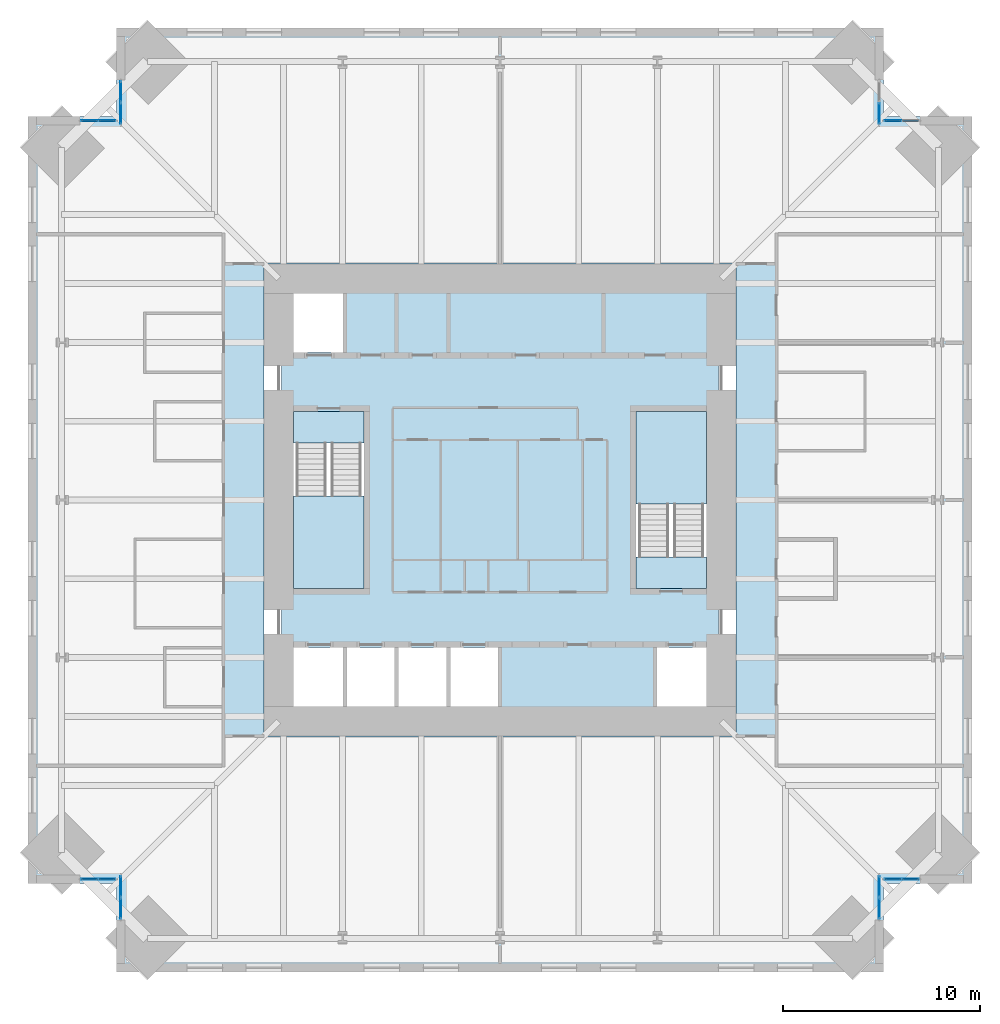
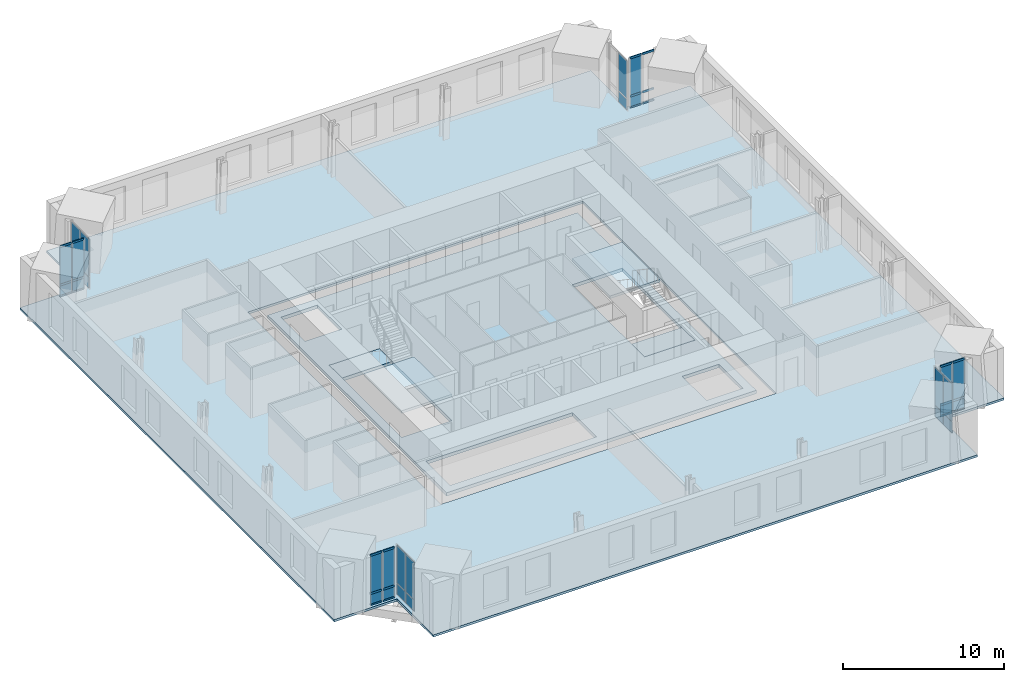
# One storey, part 9 of 15: 28 plates, 24 members, 6 slabs, 10 elements without a shape of their own.
"""IFC4 building model written with IfcOpenShell, lengths in metres."""

from ifc_helpers import new_model, si_unit, direction, frame, origin, origin_2d, place, context, subcontext, project, spatial, polyline, rectangle, hollow_rectangle, outline, extrude, material, layer, layer_set, material_profile, profile_set, type_object, element, aggregate, save


model = new_model("IFC4")

# Units and contexts
model_context = context("Model", 3, precision=1e-05, world=origin(), true_north=direction((0.0, 1.0)))
body_context = subcontext(model_context, "Body", "Model", "MODEL_VIEW")
ifc_project = project(units=[si_unit("LENGTHUNIT", "METRE"), si_unit("AREAUNIT", "SQUARE_METRE"), si_unit("VOLUMEUNIT", "CUBIC_METRE"), si_unit("PLANEANGLEUNIT", "RADIAN"), si_unit("MASSUNIT", "GRAM", prefix="KILO")], contexts=[model_context])

# Site, building, storey
site_placement = place(None, origin())
site = spatial("IfcSite", under=ifc_project, at=site_placement, CompositionType="ELEMENT")
building_placement = place(site_placement, origin())
building = spatial("IfcBuilding", under=site, at=building_placement, Name="Peilmerk Tower", CompositionType="ELEMENT")
storey_placement = place(building_placement, frame((0.0, 0.0, 213.800048828125)))
storey = spatial("IfcBuildingStorey", under=building, at=storey_placement, Name="L46", CompositionType="ELEMENT", Elevation=213.800048828125)

# Curtain wall, members
ifc_material_1 = material(Name="Aluminium stick curtain wall", Category="aluminium")
curtain_wall_type = type_object("IfcCurtainWallType", Name="CW4 stick curtain wall, 2250 module", PredefinedType="NOTDEFINED", material=ifc_material_1)
curtain_wall_1_placement = place(storey_placement, origin())
curtain_wall_1 = element("IfcCurtainWall", 1, at=curtain_wall_1_placement, inside=storey, type_object=curtain_wall_type, Name="Curtain wall CW4 NEB L46", PredefinedType="NOTDEFINED")
ifc_material_2 = material(Name="Aluminium EN AW-6063 T6", Category="aluminium")
ifc_material_profile = material_profile(ifc_material_2, hollow_rectangle(XDim=0.06494140625, YDim=0.14990234375, WallThickness=0.0029296875, at=origin_2d()), Name="AL 150x65x3")
ifc_profile_set = profile_set([ifc_material_profile], Name="Aluminium EN AW-6063 T6")
member_type = type_object("IfcMemberType", Name="CW4-T AL 150x65x3 transom", PredefinedType="USERDEFINED", material=ifc_profile_set)
member_1_placement = place(storey_placement, frame((19.56494140625, 19.27490234375, 0.032470703125), z_axis=(1.0, 0.0, 0.0), x_axis=(0.0, 1.0, 0.0)))
member_1 = element("IfcMember", 2, at=member_1_placement, type_object=member_type, Name="CW4 transom 1.1", ObjectType="TRANSOM", PredefinedType="USERDEFINED", context=body_context, shape_type="SweptSolid", body=[
    extrude(hollow_rectangle(XDim=0.06494140625, YDim=0.14990234375, WallThickness=0.0029296875, at=origin_2d()), origin(), (0.0, 0.0, 1.0), 0.82177734375),
])
member_2_placement = place(storey_placement, frame((19.56494140625, 19.27490234375, 0.89990234375), z_axis=(1.0, 0.0, 0.0), x_axis=(0.0, 1.0, 0.0)))
member_2 = element("IfcMember", 3, at=member_2_placement, type_object=member_type, Name="CW4 transom 1.2", ObjectType="TRANSOM", PredefinedType="USERDEFINED", context=body_context, shape_type="SweptSolid", body=[
    extrude(hollow_rectangle(XDim=0.06494140625, YDim=0.14990234375, WallThickness=0.0029296875, at=origin_2d()), origin(), (0.0, 0.0, 1.0), 0.82177734375),
])
member_3_placement = place(storey_placement, frame((19.56494140625, 19.27490234375, 3.79736328125), z_axis=(1.0, 0.0, 0.0), x_axis=(0.0, 1.0, 0.0)))
member_3 = element("IfcMember", 4, at=member_3_placement, type_object=member_type, Name="CW4 transom 1.3", ObjectType="TRANSOM", PredefinedType="USERDEFINED", context=body_context, shape_type="SweptSolid", body=[
    extrude(hollow_rectangle(XDim=0.06494140625, YDim=0.14990234375, WallThickness=0.0029296875, at=origin_2d()), origin(), (0.0, 0.0, 1.0), 0.82177734375),
])
member_4_placement = place(storey_placement, frame((20.451904296875, 19.27490234375, 0.032470703125), z_axis=(1.0, 0.0, 0.0), x_axis=(0.0, 1.0, 0.0)))
member_4 = element("IfcMember", 5, at=member_4_placement, type_object=member_type, Name="CW4 transom 2.1", ObjectType="TRANSOM", PredefinedType="USERDEFINED", context=body_context, shape_type="SweptSolid", body=[
    extrude(hollow_rectangle(XDim=0.06494140625, YDim=0.14990234375, WallThickness=0.0029296875, at=origin_2d()), origin(), (0.0, 0.0, 1.0), 0.82177734375),
])
member_5_placement = place(storey_placement, frame((20.451904296875, 19.27490234375, 0.89990234375), z_axis=(1.0, 0.0, 0.0), x_axis=(0.0, 1.0, 0.0)))
member_5 = element("IfcMember", 6, at=member_5_placement, type_object=member_type, Name="CW4 transom 2.2", ObjectType="TRANSOM", PredefinedType="USERDEFINED", context=body_context, shape_type="SweptSolid", body=[
    extrude(hollow_rectangle(XDim=0.06494140625, YDim=0.14990234375, WallThickness=0.0029296875, at=origin_2d()), origin(), (0.0, 0.0, 1.0), 0.82177734375),
])
member_6_placement = place(storey_placement, frame((20.451904296875, 19.27490234375, 3.79736328125), z_axis=(1.0, 0.0, 0.0), x_axis=(0.0, 1.0, 0.0)))
member_6 = element("IfcMember", 7, at=member_6_placement, type_object=member_type, Name="CW4 transom 2.3", ObjectType="TRANSOM", PredefinedType="USERDEFINED", context=body_context, shape_type="SweptSolid", body=[
    extrude(hollow_rectangle(XDim=0.06494140625, YDim=0.14990234375, WallThickness=0.0029296875, at=origin_2d()), origin(), (0.0, 0.0, 1.0), 0.82177734375),
])

curtain_wall_2_placement = place(storey_placement, origin())
curtain_wall_2 = element("IfcCurtainWall", 8, at=curtain_wall_2_placement, inside=storey, type_object=curtain_wall_type, Name="Curtain wall CW4 SEB L46", PredefinedType="NOTDEFINED")
member_7_placement = place(storey_placement, frame((19.56494140625, -19.27490234375, 0.032470703125), z_axis=(1.0, 0.0, 0.0), x_axis=(0.0, 1.0, 0.0)))
member_7 = element("IfcMember", 9, at=member_7_placement, type_object=member_type, Name="CW4 transom 1.1", ObjectType="TRANSOM", PredefinedType="USERDEFINED", context=body_context, shape_type="SweptSolid", body=[
    extrude(hollow_rectangle(XDim=0.06494140625, YDim=0.14990234375, WallThickness=0.0029296875, at=origin_2d()), origin(), (0.0, 0.0, 1.0), 0.82177734375),
])
member_8_placement = place(storey_placement, frame((19.56494140625, -19.27490234375, 0.89990234375), z_axis=(1.0, 0.0, 0.0), x_axis=(0.0, 1.0, 0.0)))
member_8 = element("IfcMember", 10, at=member_8_placement, type_object=member_type, Name="CW4 transom 1.2", ObjectType="TRANSOM", PredefinedType="USERDEFINED", context=body_context, shape_type="SweptSolid", body=[
    extrude(hollow_rectangle(XDim=0.06494140625, YDim=0.14990234375, WallThickness=0.0029296875, at=origin_2d()), origin(), (0.0, 0.0, 1.0), 0.82177734375),
])
member_9_placement = place(storey_placement, frame((19.56494140625, -19.27490234375, 3.79736328125), z_axis=(1.0, 0.0, 0.0), x_axis=(0.0, 1.0, 0.0)))
member_9 = element("IfcMember", 11, at=member_9_placement, type_object=member_type, Name="CW4 transom 1.3", ObjectType="TRANSOM", PredefinedType="USERDEFINED", context=body_context, shape_type="SweptSolid", body=[
    extrude(hollow_rectangle(XDim=0.06494140625, YDim=0.14990234375, WallThickness=0.0029296875, at=origin_2d()), origin(), (0.0, 0.0, 1.0), 0.82177734375),
])
member_10_placement = place(storey_placement, frame((20.451904296875, -19.27490234375, 0.032470703125), z_axis=(1.0, 0.0, 0.0), x_axis=(0.0, 1.0, 0.0)))
member_10 = element("IfcMember", 12, at=member_10_placement, type_object=member_type, Name="CW4 transom 2.1", ObjectType="TRANSOM", PredefinedType="USERDEFINED", context=body_context, shape_type="SweptSolid", body=[
    extrude(hollow_rectangle(XDim=0.06494140625, YDim=0.14990234375, WallThickness=0.0029296875, at=origin_2d()), origin(), (0.0, 0.0, 1.0), 0.82177734375),
])
member_11_placement = place(storey_placement, frame((20.451904296875, -19.27490234375, 0.89990234375), z_axis=(1.0, 0.0, 0.0), x_axis=(0.0, 1.0, 0.0)))
member_11 = element("IfcMember", 13, at=member_11_placement, type_object=member_type, Name="CW4 transom 2.2", ObjectType="TRANSOM", PredefinedType="USERDEFINED", context=body_context, shape_type="SweptSolid", body=[
    extrude(hollow_rectangle(XDim=0.06494140625, YDim=0.14990234375, WallThickness=0.0029296875, at=origin_2d()), origin(), (0.0, 0.0, 1.0), 0.82177734375),
])
member_12_placement = place(storey_placement, frame((20.451904296875, -19.27490234375, 3.79736328125), z_axis=(1.0, 0.0, 0.0), x_axis=(0.0, 1.0, 0.0)))
member_12 = element("IfcMember", 14, at=member_12_placement, type_object=member_type, Name="CW4 transom 2.3", ObjectType="TRANSOM", PredefinedType="USERDEFINED", context=body_context, shape_type="SweptSolid", body=[
    extrude(hollow_rectangle(XDim=0.06494140625, YDim=0.14990234375, WallThickness=0.0029296875, at=origin_2d()), origin(), (0.0, 0.0, 1.0), 0.82177734375),
])

curtain_wall_3_placement = place(storey_placement, origin())
curtain_wall_3 = element("IfcCurtainWall", 15, at=curtain_wall_3_placement, inside=storey, type_object=curtain_wall_type, Name="Curtain wall CW4 SWB L46", PredefinedType="NOTDEFINED")
member_13_placement = place(storey_placement, frame((-19.56494140625, -19.27490234375, 0.032470703125), z_axis=(-1.0, 0.0, 0.0), x_axis=(0.0, -1.0, 0.0)))
member_13 = element("IfcMember", 16, at=member_13_placement, type_object=member_type, Name="CW4 transom 1.1", ObjectType="TRANSOM", PredefinedType="USERDEFINED", context=body_context, shape_type="SweptSolid", body=[
    extrude(hollow_rectangle(XDim=0.06494140625, YDim=0.14990234375, WallThickness=0.0029296875, at=origin_2d()), origin(), (0.0, 0.0, 1.0), 0.82177734375),
])
member_14_placement = place(storey_placement, frame((-19.56494140625, -19.27490234375, 0.89990234375), z_axis=(-1.0, 0.0, 0.0), x_axis=(0.0, -1.0, 0.0)))
member_14 = element("IfcMember", 17, at=member_14_placement, type_object=member_type, Name="CW4 transom 1.2", ObjectType="TRANSOM", PredefinedType="USERDEFINED", context=body_context, shape_type="SweptSolid", body=[
    extrude(hollow_rectangle(XDim=0.06494140625, YDim=0.14990234375, WallThickness=0.0029296875, at=origin_2d()), origin(), (0.0, 0.0, 1.0), 0.82177734375),
])
member_15_placement = place(storey_placement, frame((-19.56494140625, -19.27490234375, 3.79736328125), z_axis=(-1.0, 0.0, 0.0), x_axis=(0.0, -1.0, 0.0)))
member_15 = element("IfcMember", 18, at=member_15_placement, type_object=member_type, Name="CW4 transom 1.3", ObjectType="TRANSOM", PredefinedType="USERDEFINED", context=body_context, shape_type="SweptSolid", body=[
    extrude(hollow_rectangle(XDim=0.06494140625, YDim=0.14990234375, WallThickness=0.0029296875, at=origin_2d()), origin(), (0.0, 0.0, 1.0), 0.82177734375),
])
member_16_placement = place(storey_placement, frame((-20.451904296875, -19.27490234375, 0.032470703125), z_axis=(-1.0, 0.0, 0.0), x_axis=(0.0, -1.0, 0.0)))
member_16 = element("IfcMember", 19, at=member_16_placement, type_object=member_type, Name="CW4 transom 2.1", ObjectType="TRANSOM", PredefinedType="USERDEFINED", context=body_context, shape_type="SweptSolid", body=[
    extrude(hollow_rectangle(XDim=0.06494140625, YDim=0.14990234375, WallThickness=0.0029296875, at=origin_2d()), origin(), (0.0, 0.0, 1.0), 0.82177734375),
])
member_17_placement = place(storey_placement, frame((-20.451904296875, -19.27490234375, 0.89990234375), z_axis=(-1.0, 0.0, 0.0), x_axis=(0.0, -1.0, 0.0)))
member_17 = element("IfcMember", 20, at=member_17_placement, type_object=member_type, Name="CW4 transom 2.2", ObjectType="TRANSOM", PredefinedType="USERDEFINED", context=body_context, shape_type="SweptSolid", body=[
    extrude(hollow_rectangle(XDim=0.06494140625, YDim=0.14990234375, WallThickness=0.0029296875, at=origin_2d()), origin(), (0.0, 0.0, 1.0), 0.82177734375),
])
member_18_placement = place(storey_placement, frame((-20.451904296875, -19.27490234375, 3.79736328125), z_axis=(-1.0, 0.0, 0.0), x_axis=(0.0, -1.0, 0.0)))
member_18 = element("IfcMember", 21, at=member_18_placement, type_object=member_type, Name="CW4 transom 2.3", ObjectType="TRANSOM", PredefinedType="USERDEFINED", context=body_context, shape_type="SweptSolid", body=[
    extrude(hollow_rectangle(XDim=0.06494140625, YDim=0.14990234375, WallThickness=0.0029296875, at=origin_2d()), origin(), (0.0, 0.0, 1.0), 0.82177734375),
])

curtain_wall_4_placement = place(storey_placement, origin())
curtain_wall_4 = element("IfcCurtainWall", 22, at=curtain_wall_4_placement, inside=storey, type_object=curtain_wall_type, Name="Curtain wall CW4 NWB L46", PredefinedType="NOTDEFINED")
member_19_placement = place(storey_placement, frame((-19.56494140625, 19.27490234375, 0.032470703125), z_axis=(-1.0, 0.0, 0.0), x_axis=(0.0, -1.0, 0.0)))
member_19 = element("IfcMember", 23, at=member_19_placement, type_object=member_type, Name="CW4 transom 1.1", ObjectType="TRANSOM", PredefinedType="USERDEFINED", context=body_context, shape_type="SweptSolid", body=[
    extrude(hollow_rectangle(XDim=0.06494140625, YDim=0.14990234375, WallThickness=0.0029296875, at=origin_2d()), origin(), (0.0, 0.0, 1.0), 0.82177734375),
])
member_20_placement = place(storey_placement, frame((-19.56494140625, 19.27490234375, 0.89990234375), z_axis=(-1.0, 0.0, 0.0), x_axis=(0.0, -1.0, 0.0)))
member_20 = element("IfcMember", 24, at=member_20_placement, type_object=member_type, Name="CW4 transom 1.2", ObjectType="TRANSOM", PredefinedType="USERDEFINED", context=body_context, shape_type="SweptSolid", body=[
    extrude(hollow_rectangle(XDim=0.06494140625, YDim=0.14990234375, WallThickness=0.0029296875, at=origin_2d()), origin(), (0.0, 0.0, 1.0), 0.82177734375),
])
member_21_placement = place(storey_placement, frame((-19.56494140625, 19.27490234375, 3.79736328125), z_axis=(-1.0, 0.0, 0.0), x_axis=(0.0, -1.0, 0.0)))
member_21 = element("IfcMember", 25, at=member_21_placement, type_object=member_type, Name="CW4 transom 1.3", ObjectType="TRANSOM", PredefinedType="USERDEFINED", context=body_context, shape_type="SweptSolid", body=[
    extrude(hollow_rectangle(XDim=0.06494140625, YDim=0.14990234375, WallThickness=0.0029296875, at=origin_2d()), origin(), (0.0, 0.0, 1.0), 0.82177734375),
])
member_22_placement = place(storey_placement, frame((-20.451904296875, 19.27490234375, 0.032470703125), z_axis=(-1.0, 0.0, 0.0), x_axis=(0.0, -1.0, 0.0)))
member_22 = element("IfcMember", 26, at=member_22_placement, type_object=member_type, Name="CW4 transom 2.1", ObjectType="TRANSOM", PredefinedType="USERDEFINED", context=body_context, shape_type="SweptSolid", body=[
    extrude(hollow_rectangle(XDim=0.06494140625, YDim=0.14990234375, WallThickness=0.0029296875, at=origin_2d()), origin(), (0.0, 0.0, 1.0), 0.82177734375),
])
member_23_placement = place(storey_placement, frame((-20.451904296875, 19.27490234375, 0.89990234375), z_axis=(-1.0, 0.0, 0.0), x_axis=(0.0, -1.0, 0.0)))
member_23 = element("IfcMember", 27, at=member_23_placement, type_object=member_type, Name="CW4 transom 2.2", ObjectType="TRANSOM", PredefinedType="USERDEFINED", context=body_context, shape_type="SweptSolid", body=[
    extrude(hollow_rectangle(XDim=0.06494140625, YDim=0.14990234375, WallThickness=0.0029296875, at=origin_2d()), origin(), (0.0, 0.0, 1.0), 0.82177734375),
])
member_24_placement = place(storey_placement, frame((-20.451904296875, 19.27490234375, 3.79736328125), z_axis=(-1.0, 0.0, 0.0), x_axis=(0.0, -1.0, 0.0)))
member_24 = element("IfcMember", 28, at=member_24_placement, type_object=member_type, Name="CW4 transom 2.3", ObjectType="TRANSOM", PredefinedType="USERDEFINED", context=body_context, shape_type="SweptSolid", body=[
    extrude(hollow_rectangle(XDim=0.06494140625, YDim=0.14990234375, WallThickness=0.0029296875, at=origin_2d()), origin(), (0.0, 0.0, 1.0), 0.82177734375),
])

# Slab
ifc_material_3 = material(Name="Concrete C55/67", Category="concrete")
ifc_layer_1 = layer(ifc_material_3, 0.25)
ifc_layer_set_1 = layer_set([ifc_layer_1], Name="Concrete C55/67")
slab_type_1 = type_object("IfcSlabType", Name="CS250 250 core floor slab", PredefinedType="FLOOR", material=ifc_layer_set_1)
slab_1_placement = place(storey_placement, frame((0.0, 0.0, -0.25)))
element("IfcSlab", 29, at=slab_1_placement, inside=storey, type_object=slab_type_1, Name="Core slab L46", PredefinedType="FLOOR", context=body_context, shape_type="SweptSolid", body=[
    extrude(outline(polyline([(11.10009765625, -11.10009765625), (11.10009765625, 11.10009765625), (-11.10009765625, 11.10009765625), (-11.10009765625, -11.10009765625), (11.10009765625, -11.10009765625)]), holes=[polyline([(-7.875, 7.5), (-10.5, 7.5), (-10.5, 10.5), (-7.875, 10.5), (-7.875, 7.5)]), polyline([(0.0, -10.5), (-10.5, -10.5), (-10.5, -7.5), (0.0, -7.5), (0.0, -10.5)]), polyline([(7.875, -10.5), (7.875, -7.5), (10.5, -7.5), (10.5, -10.5), (7.875, -10.5)]), polyline([(-10.5, 4.5), (-6.89990234375, 4.5), (-6.89990234375, -4.5), (-10.5, -4.5), (-10.5, 4.5)]), polyline([(10.5, 4.5), (10.5, -4.5), (6.89990234375, -4.5), (6.89990234375, 4.5), (10.5, 4.5)])]), origin(), (0.0, 0.0, 1.0), 0.25),
])

# Curtain wall, plates
curtain_wall_5_placement = place(storey_placement, origin())
curtain_wall_5 = element("IfcCurtainWall", 30, at=curtain_wall_5_placement, inside=storey, type_object=curtain_wall_type, Name="Curtain wall CW4 NEA L46", PredefinedType="NOTDEFINED")
ifc_material_4 = material(Name="Clear insulated glazing unit", Category="glass")
ifc_layer_2 = layer(ifc_material_4, 0.028076171875)
ifc_layer_set_2 = layer_set([ifc_layer_2], Name="Clear insulated glazing unit")
plate_type = type_object("IfcPlateType", Name="CW4-P 28 glazed panel", PredefinedType="CURTAIN_PANEL", material=ifc_layer_set_2)
plate_1_placement = place(storey_placement, frame((19.27490234375, 19.638427734375, 0.06494140625), z_axis=(0.0, 0.0, 1.0), x_axis=(0.0, 1.0, 0.0)))
plate_1 = element("IfcPlate", 31, at=plate_1_placement, type_object=plate_type, Name="CW4 panel 1.1", PredefinedType="CURTAIN_PANEL", context=body_context, shape_type="SweptSolid", body=[
    extrude(rectangle(XDim=1.046875, YDim=0.028076171875, at=origin_2d()), origin(), (0.0, 0.0, 1.0), 0.802490234375),
])
plate_2_placement = place(storey_placement, frame((19.27490234375, 19.638427734375, 0.932373046875), z_axis=(0.0, 0.0, 1.0), x_axis=(0.0, 1.0, 0.0)))
plate_2 = element("IfcPlate", 32, at=plate_2_placement, type_object=plate_type, Name="CW4 panel 1.2", PredefinedType="CURTAIN_PANEL", context=body_context, shape_type="SweptSolid", body=[
    extrude(rectangle(XDim=1.046875, YDim=0.028076171875, at=origin_2d()), origin(), (0.0, 0.0, 1.0), 2.83251953125),
])
aggregate(curtain_wall_5, [plate_1, plate_2])

# Plate
plate_3_placement = place(storey_placement, frame((19.975830078125, 19.27490234375, 0.06494140625), z_axis=(0.0, 0.0, 1.0), x_axis=(1.0, 0.0, 0.0)))
plate_3 = element("IfcPlate", 33, at=plate_3_placement, type_object=plate_type, Name="CW4 panel 1.1", PredefinedType="CURTAIN_PANEL", context=body_context, shape_type="SweptSolid", body=[
    extrude(rectangle(XDim=0.82177734375, YDim=0.028076171875, at=origin_2d()), origin(), (0.0, 0.0, 1.0), 0.802490234375),
])

plate_4_placement = place(storey_placement, frame((19.975830078125, 19.27490234375, 0.932373046875), z_axis=(0.0, 0.0, 1.0), x_axis=(1.0, 0.0, 0.0)))
plate_4 = element("IfcPlate", 34, at=plate_4_placement, type_object=plate_type, Name="CW4 panel 1.2", PredefinedType="CURTAIN_PANEL", context=body_context, shape_type="SweptSolid", body=[
    extrude(rectangle(XDim=0.82177734375, YDim=0.028076171875, at=origin_2d()), origin(), (0.0, 0.0, 1.0), 2.83251953125),
])

aggregate(curtain_wall_1, [member_1, member_2, member_3, plate_3, plate_4, member_4, member_5, member_6])

# Curtain wall, plates
curtain_wall_6_placement = place(storey_placement, origin())
curtain_wall_6 = element("IfcCurtainWall", 35, at=curtain_wall_6_placement, inside=storey, type_object=curtain_wall_type, Name="Curtain wall CW4 SEA L46", PredefinedType="NOTDEFINED")
plate_5_placement = place(storey_placement, frame((19.27490234375, -19.638427734375, 0.06494140625), z_axis=(0.0, 0.0, 1.0), x_axis=(0.0, -1.0, 0.0)))
plate_5 = element("IfcPlate", 36, at=plate_5_placement, type_object=plate_type, Name="CW4 panel 1.1", PredefinedType="CURTAIN_PANEL", context=body_context, shape_type="SweptSolid", body=[
    extrude(rectangle(XDim=1.046875, YDim=0.028076171875, at=origin_2d()), origin(), (0.0, 0.0, 1.0), 0.802490234375),
])
plate_6_placement = place(storey_placement, frame((19.27490234375, -19.638427734375, 0.932373046875), z_axis=(0.0, 0.0, 1.0), x_axis=(0.0, -1.0, 0.0)))
plate_6 = element("IfcPlate", 37, at=plate_6_placement, type_object=plate_type, Name="CW4 panel 1.2", PredefinedType="CURTAIN_PANEL", context=body_context, shape_type="SweptSolid", body=[
    extrude(rectangle(XDim=1.046875, YDim=0.028076171875, at=origin_2d()), origin(), (0.0, 0.0, 1.0), 2.83251953125),
])
plate_7_placement = place(storey_placement, frame((19.27490234375, -20.750244140625, 0.06494140625), z_axis=(0.0, 0.0, 1.0), x_axis=(0.0, -1.0, 0.0)))
plate_7 = element("IfcPlate", 38, at=plate_7_placement, type_object=plate_type, Name="CW4 panel 2.1", PredefinedType="CURTAIN_PANEL", context=body_context, shape_type="SweptSolid", body=[
    extrude(rectangle(XDim=1.046875, YDim=0.028076171875, at=origin_2d()), origin(), (0.0, 0.0, 1.0), 0.802490234375),
])
plate_8_placement = place(storey_placement, frame((19.27490234375, -20.750244140625, 0.932373046875), z_axis=(0.0, 0.0, 1.0), x_axis=(0.0, -1.0, 0.0)))
plate_8 = element("IfcPlate", 39, at=plate_8_placement, type_object=plate_type, Name="CW4 panel 2.2", PredefinedType="CURTAIN_PANEL", context=body_context, shape_type="SweptSolid", body=[
    extrude(rectangle(XDim=1.046875, YDim=0.028076171875, at=origin_2d()), origin(), (0.0, 0.0, 1.0), 2.83251953125),
])
aggregate(curtain_wall_6, [plate_5, plate_6, plate_7, plate_8])

# Plate
plate_9_placement = place(storey_placement, frame((19.975830078125, -19.27490234375, 0.06494140625), z_axis=(0.0, 0.0, 1.0), x_axis=(1.0, 0.0, 0.0)))
plate_9 = element("IfcPlate", 40, at=plate_9_placement, type_object=plate_type, Name="CW4 panel 1.1", PredefinedType="CURTAIN_PANEL", context=body_context, shape_type="SweptSolid", body=[
    extrude(rectangle(XDim=0.82177734375, YDim=0.028076171875, at=origin_2d()), origin(), (0.0, 0.0, 1.0), 0.802490234375),
])

plate_10_placement = place(storey_placement, frame((19.975830078125, -19.27490234375, 0.932373046875), z_axis=(0.0, 0.0, 1.0), x_axis=(1.0, 0.0, 0.0)))
plate_10 = element("IfcPlate", 41, at=plate_10_placement, type_object=plate_type, Name="CW4 panel 1.2", PredefinedType="CURTAIN_PANEL", context=body_context, shape_type="SweptSolid", body=[
    extrude(rectangle(XDim=0.82177734375, YDim=0.028076171875, at=origin_2d()), origin(), (0.0, 0.0, 1.0), 2.83251953125),
])

plate_11_placement = place(storey_placement, frame((20.86279296875, -19.27490234375, 0.06494140625), z_axis=(0.0, 0.0, 1.0), x_axis=(1.0, 0.0, 0.0)))
plate_11 = element("IfcPlate", 42, at=plate_11_placement, type_object=plate_type, Name="CW4 panel 2.1", PredefinedType="CURTAIN_PANEL", context=body_context, shape_type="SweptSolid", body=[
    extrude(rectangle(XDim=0.82177734375, YDim=0.028076171875, at=origin_2d()), origin(), (0.0, 0.0, 1.0), 0.802490234375),
])

plate_12_placement = place(storey_placement, frame((20.86279296875, -19.27490234375, 0.932373046875), z_axis=(0.0, 0.0, 1.0), x_axis=(1.0, 0.0, 0.0)))
plate_12 = element("IfcPlate", 43, at=plate_12_placement, type_object=plate_type, Name="CW4 panel 2.2", PredefinedType="CURTAIN_PANEL", context=body_context, shape_type="SweptSolid", body=[
    extrude(rectangle(XDim=0.82177734375, YDim=0.028076171875, at=origin_2d()), origin(), (0.0, 0.0, 1.0), 2.83251953125),
])

aggregate(curtain_wall_2, [member_7, member_8, member_9, plate_9, plate_10, member_10, member_11, member_12, plate_11, plate_12])

# Curtain wall, plates
curtain_wall_7_placement = place(storey_placement, origin())
curtain_wall_7 = element("IfcCurtainWall", 44, at=curtain_wall_7_placement, inside=storey, type_object=curtain_wall_type, Name="Curtain wall CW4 SWA L46", PredefinedType="NOTDEFINED")
plate_13_placement = place(storey_placement, frame((-19.27490234375, -19.638427734375, 0.06494140625), z_axis=(0.0, 0.0, 1.0), x_axis=(0.0, -1.0, 0.0)))
plate_13 = element("IfcPlate", 45, at=plate_13_placement, type_object=plate_type, Name="CW4 panel 1.1", PredefinedType="CURTAIN_PANEL", context=body_context, shape_type="SweptSolid", body=[
    extrude(rectangle(XDim=1.046875, YDim=0.028076171875, at=origin_2d()), origin(), (0.0, 0.0, 1.0), 0.802490234375),
])
plate_14_placement = place(storey_placement, frame((-19.27490234375, -19.638427734375, 0.932373046875), z_axis=(0.0, 0.0, 1.0), x_axis=(0.0, -1.0, 0.0)))
plate_14 = element("IfcPlate", 46, at=plate_14_placement, type_object=plate_type, Name="CW4 panel 1.2", PredefinedType="CURTAIN_PANEL", context=body_context, shape_type="SweptSolid", body=[
    extrude(rectangle(XDim=1.046875, YDim=0.028076171875, at=origin_2d()), origin(), (0.0, 0.0, 1.0), 2.83251953125),
])
plate_15_placement = place(storey_placement, frame((-19.27490234375, -20.750244140625, 0.06494140625), z_axis=(0.0, 0.0, 1.0), x_axis=(0.0, -1.0, 0.0)))
plate_15 = element("IfcPlate", 47, at=plate_15_placement, type_object=plate_type, Name="CW4 panel 2.1", PredefinedType="CURTAIN_PANEL", context=body_context, shape_type="SweptSolid", body=[
    extrude(rectangle(XDim=1.046875, YDim=0.028076171875, at=origin_2d()), origin(), (0.0, 0.0, 1.0), 0.802490234375),
])
plate_16_placement = place(storey_placement, frame((-19.27490234375, -20.750244140625, 0.932373046875), z_axis=(0.0, 0.0, 1.0), x_axis=(0.0, -1.0, 0.0)))
plate_16 = element("IfcPlate", 48, at=plate_16_placement, type_object=plate_type, Name="CW4 panel 2.2", PredefinedType="CURTAIN_PANEL", context=body_context, shape_type="SweptSolid", body=[
    extrude(rectangle(XDim=1.046875, YDim=0.028076171875, at=origin_2d()), origin(), (0.0, 0.0, 1.0), 2.83251953125),
])
aggregate(curtain_wall_7, [plate_13, plate_14, plate_15, plate_16])

# Plate
plate_17_placement = place(storey_placement, frame((-19.975830078125, -19.27490234375, 0.06494140625), z_axis=(0.0, 0.0, 1.0), x_axis=(-1.0, 0.0, 0.0)))
plate_17 = element("IfcPlate", 49, at=plate_17_placement, type_object=plate_type, Name="CW4 panel 1.1", PredefinedType="CURTAIN_PANEL", context=body_context, shape_type="SweptSolid", body=[
    extrude(rectangle(XDim=0.82177734375, YDim=0.028076171875, at=origin_2d()), origin(), (0.0, 0.0, 1.0), 0.802490234375),
])

plate_18_placement = place(storey_placement, frame((-19.975830078125, -19.27490234375, 0.932373046875), z_axis=(0.0, 0.0, 1.0), x_axis=(-1.0, 0.0, 0.0)))
plate_18 = element("IfcPlate", 50, at=plate_18_placement, type_object=plate_type, Name="CW4 panel 1.2", PredefinedType="CURTAIN_PANEL", context=body_context, shape_type="SweptSolid", body=[
    extrude(rectangle(XDim=0.82177734375, YDim=0.028076171875, at=origin_2d()), origin(), (0.0, 0.0, 1.0), 2.83251953125),
])

plate_19_placement = place(storey_placement, frame((-20.86279296875, -19.27490234375, 0.06494140625), z_axis=(0.0, 0.0, 1.0), x_axis=(-1.0, 0.0, 0.0)))
plate_19 = element("IfcPlate", 51, at=plate_19_placement, type_object=plate_type, Name="CW4 panel 2.1", PredefinedType="CURTAIN_PANEL", context=body_context, shape_type="SweptSolid", body=[
    extrude(rectangle(XDim=0.82177734375, YDim=0.028076171875, at=origin_2d()), origin(), (0.0, 0.0, 1.0), 0.802490234375),
])

plate_20_placement = place(storey_placement, frame((-20.86279296875, -19.27490234375, 0.932373046875), z_axis=(0.0, 0.0, 1.0), x_axis=(-1.0, 0.0, 0.0)))
plate_20 = element("IfcPlate", 52, at=plate_20_placement, type_object=plate_type, Name="CW4 panel 2.2", PredefinedType="CURTAIN_PANEL", context=body_context, shape_type="SweptSolid", body=[
    extrude(rectangle(XDim=0.82177734375, YDim=0.028076171875, at=origin_2d()), origin(), (0.0, 0.0, 1.0), 2.83251953125),
])

aggregate(curtain_wall_3, [member_13, member_14, member_15, plate_17, plate_18, member_16, member_17, member_18, plate_19, plate_20])

# Curtain wall, plates
curtain_wall_8_placement = place(storey_placement, origin())
curtain_wall_8 = element("IfcCurtainWall", 53, at=curtain_wall_8_placement, inside=storey, type_object=curtain_wall_type, Name="Curtain wall CW4 NWA L46", PredefinedType="NOTDEFINED")
plate_21_placement = place(storey_placement, frame((-19.27490234375, 19.638427734375, 0.06494140625), z_axis=(0.0, 0.0, 1.0), x_axis=(0.0, 1.0, 0.0)))
plate_21 = element("IfcPlate", 54, at=plate_21_placement, type_object=plate_type, Name="CW4 panel 1.1", PredefinedType="CURTAIN_PANEL", context=body_context, shape_type="SweptSolid", body=[
    extrude(rectangle(XDim=1.046875, YDim=0.028076171875, at=origin_2d()), origin(), (0.0, 0.0, 1.0), 0.802490234375),
])
plate_22_placement = place(storey_placement, frame((-19.27490234375, 19.638427734375, 0.932373046875), z_axis=(0.0, 0.0, 1.0), x_axis=(0.0, 1.0, 0.0)))
plate_22 = element("IfcPlate", 55, at=plate_22_placement, type_object=plate_type, Name="CW4 panel 1.2", PredefinedType="CURTAIN_PANEL", context=body_context, shape_type="SweptSolid", body=[
    extrude(rectangle(XDim=1.046875, YDim=0.028076171875, at=origin_2d()), origin(), (0.0, 0.0, 1.0), 2.83251953125),
])
plate_23_placement = place(storey_placement, frame((-19.27490234375, 20.750244140625, 0.06494140625), z_axis=(0.0, 0.0, 1.0), x_axis=(0.0, 1.0, 0.0)))
plate_23 = element("IfcPlate", 56, at=plate_23_placement, type_object=plate_type, Name="CW4 panel 2.1", PredefinedType="CURTAIN_PANEL", context=body_context, shape_type="SweptSolid", body=[
    extrude(rectangle(XDim=1.046875, YDim=0.028076171875, at=origin_2d()), origin(), (0.0, 0.0, 1.0), 0.802490234375),
])
plate_24_placement = place(storey_placement, frame((-19.27490234375, 20.750244140625, 0.932373046875), z_axis=(0.0, 0.0, 1.0), x_axis=(0.0, 1.0, 0.0)))
plate_24 = element("IfcPlate", 57, at=plate_24_placement, type_object=plate_type, Name="CW4 panel 2.2", PredefinedType="CURTAIN_PANEL", context=body_context, shape_type="SweptSolid", body=[
    extrude(rectangle(XDim=1.046875, YDim=0.028076171875, at=origin_2d()), origin(), (0.0, 0.0, 1.0), 2.83251953125),
])
aggregate(curtain_wall_8, [plate_21, plate_22, plate_23, plate_24])

# Plate
plate_25_placement = place(storey_placement, frame((-19.975830078125, 19.27490234375, 0.06494140625), z_axis=(0.0, 0.0, 1.0), x_axis=(-1.0, 0.0, 0.0)))
plate_25 = element("IfcPlate", 58, at=plate_25_placement, type_object=plate_type, Name="CW4 panel 1.1", PredefinedType="CURTAIN_PANEL", context=body_context, shape_type="SweptSolid", body=[
    extrude(rectangle(XDim=0.82177734375, YDim=0.028076171875, at=origin_2d()), origin(), (0.0, 0.0, 1.0), 0.802490234375),
])

plate_26_placement = place(storey_placement, frame((-19.975830078125, 19.27490234375, 0.932373046875), z_axis=(0.0, 0.0, 1.0), x_axis=(-1.0, 0.0, 0.0)))
plate_26 = element("IfcPlate", 59, at=plate_26_placement, type_object=plate_type, Name="CW4 panel 1.2", PredefinedType="CURTAIN_PANEL", context=body_context, shape_type="SweptSolid", body=[
    extrude(rectangle(XDim=0.82177734375, YDim=0.028076171875, at=origin_2d()), origin(), (0.0, 0.0, 1.0), 2.83251953125),
])

plate_27_placement = place(storey_placement, frame((-20.86279296875, 19.27490234375, 0.06494140625), z_axis=(0.0, 0.0, 1.0), x_axis=(-1.0, 0.0, 0.0)))
plate_27 = element("IfcPlate", 60, at=plate_27_placement, type_object=plate_type, Name="CW4 panel 2.1", PredefinedType="CURTAIN_PANEL", context=body_context, shape_type="SweptSolid", body=[
    extrude(rectangle(XDim=0.82177734375, YDim=0.028076171875, at=origin_2d()), origin(), (0.0, 0.0, 1.0), 0.802490234375),
])

plate_28_placement = place(storey_placement, frame((-20.86279296875, 19.27490234375, 0.932373046875), z_axis=(0.0, 0.0, 1.0), x_axis=(-1.0, 0.0, 0.0)))
plate_28 = element("IfcPlate", 61, at=plate_28_placement, type_object=plate_type, Name="CW4 panel 2.2", PredefinedType="CURTAIN_PANEL", context=body_context, shape_type="SweptSolid", body=[
    extrude(rectangle(XDim=0.82177734375, YDim=0.028076171875, at=origin_2d()), origin(), (0.0, 0.0, 1.0), 2.83251953125),
])

aggregate(curtain_wall_4, [member_19, member_20, member_21, plate_25, plate_26, member_22, member_23, member_24, plate_27, plate_28])

# Slab
ifc_material_5 = material(Name="Concrete C35/45", Category="concrete")
ifc_layer_3 = layer(ifc_material_5, 0.169921875)
ifc_layer_set_3 = layer_set([ifc_layer_3], Name="Concrete C35/45")
slab_type_2 = type_object("IfcSlabType", Name="FS170 170 composite floor slab", PredefinedType="FLOOR", material=ifc_layer_set_3)
slab_2_placement = place(storey_placement, frame((0.0, 0.0, -0.170166015625)))
element("IfcSlab", 62, at=slab_2_placement, inside=storey, type_object=slab_type_2, Name="Floor slab L46", PredefinedType="FLOOR", context=body_context, shape_type="SweptSolid", body=[
    extrude(outline(polyline([(-19.5, -24.0), (19.5, -24.0), (19.5, -19.5), (24.0, -19.5), (24.0, 19.5), (19.5, 19.5), (19.5, 24.0), (-19.5, 24.0), (-19.5, 19.5), (-24.0, 19.5), (-24.0, -19.5), (-19.5, -19.5), (-19.5, -24.0)]), holes=[polyline([(12.0, 12.0), (12.0, -12.0), (-12.0, -12.0), (-12.0, 12.0), (12.0, 12.0)])]), origin(), (0.0, 0.0, 1.0), 0.170166015625),
])

# Stair, slab
ifc_material_6 = material(Name="Precast concrete C45/55", Category="concrete")
stair_type_1 = type_object("IfcStairType", Name="ST1 22 risers of 181.8", PredefinedType="HALF_TURN_STAIR", material=ifc_material_6)
stair_1_placement = place(storey_placement, origin())
stair_1 = element("IfcStair", 63, at=stair_1_placement, inside=storey, type_object=stair_type_1, Name="Stair 1 L46 to L47", PredefinedType="HALF_TURN_STAIR")
ifc_layer_4 = layer(ifc_material_5, 0.199951171875)
ifc_layer_set_4 = layer_set([ifc_layer_4], Name="Concrete C35/45")
slab_type_3 = type_object("IfcSlabType", Name="SL1 200 concrete stair landing", PredefinedType="LANDING", material=ifc_layer_set_4)
slab_3_placement = place(storey_placement, frame((0.0, 0.0, 1.800048828125)))
slab_3 = element("IfcSlab", 64, at=slab_3_placement, type_object=slab_type_3, Name="ST1 landing 1", PredefinedType="LANDING", context=body_context, shape_type="SweptSolid", body=[
    extrude(outline(polyline([(-10.5, -4.5), (-6.89990234375, -4.5), (-6.89990234375, 0.199951171875), (-10.5, 0.199951171875), (-10.5, -4.5)])), origin(), (0.0, 0.0, 1.0), 0.199951171875),
])

stair_type_2 = type_object("IfcStairType", Name="ST2 22 risers of 181.8", PredefinedType="HALF_TURN_STAIR", material=ifc_material_6)
stair_2_placement = place(storey_placement, origin())
stair_2 = element("IfcStair", 65, at=stair_2_placement, inside=storey, type_object=stair_type_2, Name="Stair 2 L46 to L47", PredefinedType="HALF_TURN_STAIR")
slab_4_placement = place(storey_placement, frame((0.0, 0.0, 1.800048828125)))
slab_4 = element("IfcSlab", 66, at=slab_4_placement, type_object=slab_type_3, Name="ST2 landing 1", PredefinedType="LANDING", context=body_context, shape_type="SweptSolid", body=[
    extrude(outline(polyline([(6.89990234375, -0.199951171875), (10.5, -0.199951171875), (10.5, 4.5), (6.89990234375, 4.5), (6.89990234375, -0.199951171875)])), origin(), (0.0, 0.0, 1.0), 0.199951171875),
])

# Slab
ifc_layer_5 = layer(ifc_material_5, 0.25)
ifc_layer_set_5 = layer_set([ifc_layer_5], Name="Concrete C35/45")
slab_type_4 = type_object("IfcSlabType", Name="SL2 250 concrete floor landing", PredefinedType="LANDING", material=ifc_layer_set_5)
slab_5_placement = place(storey_placement, frame((0.0, 0.0, -0.25)))
slab_5 = element("IfcSlab", 67, at=slab_5_placement, type_object=slab_type_4, Name="ST1 floor landing", PredefinedType="LANDING", context=body_context, shape_type="SweptSolid", body=[
    extrude(outline(polyline([(-10.5, 2.89990234375), (-6.89990234375, 2.89990234375), (-6.89990234375, 4.5), (-10.5, 4.5), (-10.5, 2.89990234375)])), origin(), (0.0, 0.0, 1.0), 0.25),
])

aggregate(stair_1, [slab_3, slab_5])

slab_6_placement = place(storey_placement, frame((0.0, 0.0, -0.25)))
slab_6 = element("IfcSlab", 68, at=slab_6_placement, type_object=slab_type_4, Name="ST2 floor landing", PredefinedType="LANDING", context=body_context, shape_type="SweptSolid", body=[
    extrude(outline(polyline([(6.89990234375, -4.5), (10.5, -4.5), (10.5, -2.89990234375), (6.89990234375, -2.89990234375), (6.89990234375, -4.5)])), origin(), (0.0, 0.0, 1.0), 0.25),
])

aggregate(stair_2, [slab_4, slab_6])

save(model, "model.ifc")
